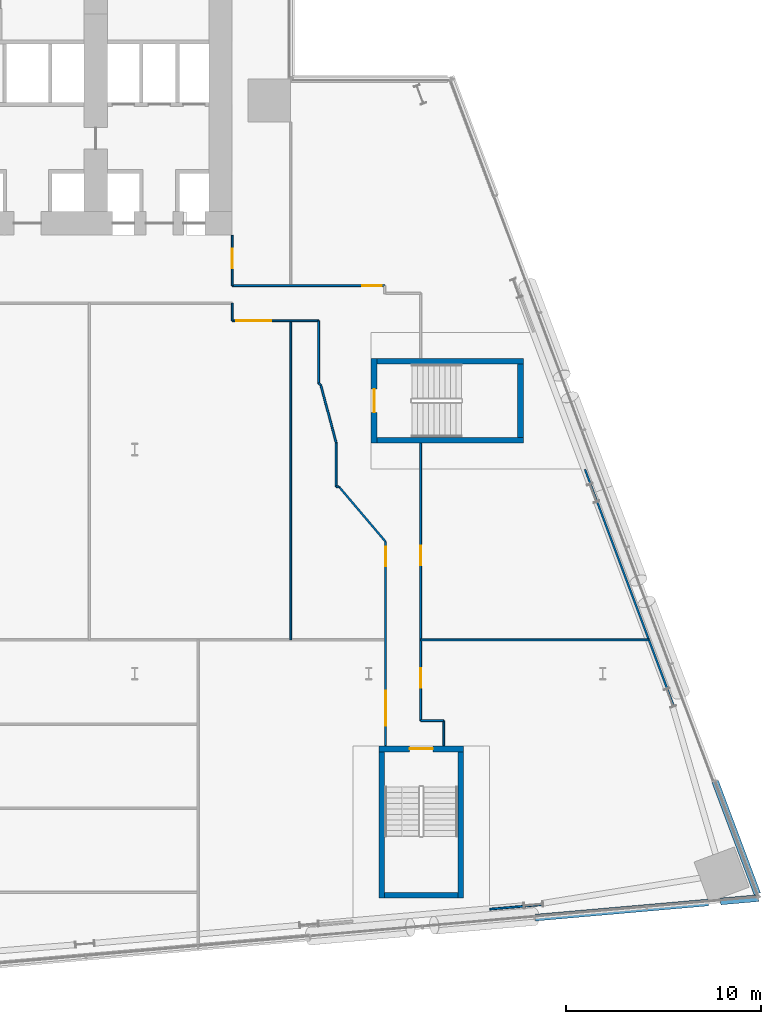
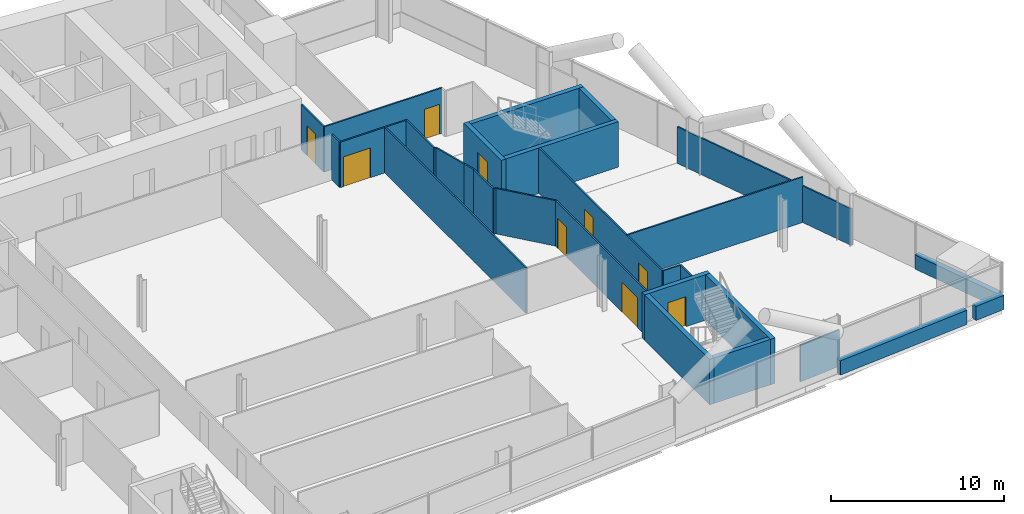
# One storey, part 18 of 27: 30 walls, 9 doors, 9 openings.
"""IFC4 building model written with IfcOpenShell, lengths in metres."""

import ifcopenshell
import ifcopenshell.guid

model = None  # the IFC model being written
_history = None  # IfcOwnerHistory: only IFC2X3 demands one
_inside = {}  # id of a spatial element -> (the spatial element, [elements in it])
_under = {}  # id of a project, library or spatial element -> (it, [spatial elements below it])
_declared = {}  # id of a project -> (the project, [libraries it declares])
_typed = {}  # id of a type object -> (the type object, [elements of that type])
_made_of = {}  # id of a material, layer set ... -> (it, [elements and type objects made of it])


def new_model(schema):
    """Start an empty IFC model of exactly this schema.

    Asked for "IFC4X3", IfcOpenShell would pick the latest addendum, in which some entities
    have other attributes; the version numbers below select the first issue.
    IFC2X3 requires an IfcOwnerHistory on every rooted entity: one is made here for all.
    """
    global model, _history
    if schema == "IFC4X3":
        model = ifcopenshell.file(schema_version=(4, 3, 0, 0))
    else:
        model = ifcopenshell.file(schema=schema)
    _inside.clear()
    _under.clear()
    _declared.clear()
    _typed.clear()
    _made_of.clear()
    _history = None
    if model.schema == "IFC2X3":
        org = make("IfcOrganization", Name="unknown")
        user = make(
            "IfcPersonAndOrganization",
            ThePerson=make("IfcPerson", FamilyName="unknown"),
            TheOrganization=org,
        )
        app = make(
            "IfcApplication",
            ApplicationDeveloper=org,
            Version="unknown",
            ApplicationFullName="unknown",
            ApplicationIdentifier="unknown",
        )
        _history = make(
            "IfcOwnerHistory",
            OwningUser=user,
            OwningApplication=app,
            ChangeAction="ADDED",
            CreationDate=0,
        )
    return model


def make(cls, **values):
    """One entity of the class cls with the attributes given. An attribute that is None is left unset."""
    return model.create_entity(
        cls, **{name: value for name, value in values.items() if value is not None}
    )


def rooted(cls, **values):
    """An entity with a GlobalId (a new one), such as an element, a storey or a relation."""
    return make(cls, GlobalId=ifcopenshell.guid.new(), OwnerHistory=_history, **values)


def si_unit(unit_type, name, prefix=None):
    """IfcSIUnit, for example si_unit("LENGTHUNIT", "METRE", prefix="MILLI")."""
    return make("IfcSIUnit", UnitType=unit_type, Prefix=prefix, Name=name)


def assignment(units):
    """IfcUnitAssignment: the units of a project."""
    return None if units is None else make("IfcUnitAssignment", Units=units)


def point(xyz):
    """IfcCartesianPoint."""
    return None if xyz is None else make("IfcCartesianPoint", Coordinates=xyz)


def direction(xyz):
    """IfcDirection."""
    return None if xyz is None else make("IfcDirection", DirectionRatios=xyz)


def frame(location, z_axis=None, x_axis=None):
    """IfcAxis2Placement3D, a coordinate frame: its origin and axes. An axis left out is left unset."""
    return make(
        "IfcAxis2Placement3D",
        Location=point(location),
        Axis=direction(z_axis),
        RefDirection=direction(x_axis),
    )


def frame_2d(location, x_axis=None):
    """IfcAxis2Placement2D, a coordinate frame in the plane: its origin and x axis."""
    return make(
        "IfcAxis2Placement2D", Location=point(location), RefDirection=direction(x_axis)
    )


def origin():
    """The frame at (0, 0, 0) with its axes left unset."""
    return frame((0.0, 0.0, 0.0))


def place(relative_to, where):
    """IfcLocalPlacement: puts the frame where relative to a parent placement (None: the world)."""
    return make(
        "IfcLocalPlacement", PlacementRelTo=relative_to, RelativePlacement=where
    )


def context(
    kind, dimensions, precision=None, world=None, true_north=None, identifier=None
):
    """IfcGeometricRepresentationContext, for example the 3D "Model" context."""
    return make(
        "IfcGeometricRepresentationContext",
        ContextIdentifier=identifier,
        ContextType=kind,
        CoordinateSpaceDimension=dimensions,
        Precision=precision,
        WorldCoordinateSystem=world,
        TrueNorth=true_north,
    )


def subcontext(parent, identifier, kind, view, scale=None):
    """IfcGeometricRepresentationSubContext, for example "Body" below "Model"."""
    return make(
        "IfcGeometricRepresentationSubContext",
        ContextIdentifier=identifier,
        ContextType=kind,
        ParentContext=parent,
        TargetScale=scale,
        TargetView=view,
    )


def project(units=None, contexts=None):
    """IfcProject with its units and contexts."""
    return rooted(
        "IfcProject",
        Name="project",
        RepresentationContexts=contexts,
        UnitsInContext=assignment(units),
    )


def spatial(cls, under=None, at=None, **own):
    """A site, building, storey or space (cls), placed at a placement, below another one or the project."""
    s = rooted(cls, ObjectPlacement=at, **own)
    if under is not None:
        _under.setdefault(under.id(), (under, []))[1].append(s)
    return s


def profile(cls, at=None, kind="AREA", **sizes):
    """A parametric profile (cls). Its sizes go by their IFC names, for example OverallWidth=200.0."""
    return make(cls, ProfileType=kind, Position=at, **sizes)


def rectangle(**sizes):
    """IfcRectangleProfileDef."""
    return profile("IfcRectangleProfileDef", **sizes)


def extrude(swept, where, along, depth):
    """IfcExtrudedAreaSolid: the profile swept, set in the frame where, extruded along a direction by depth."""
    return make(
        "IfcExtrudedAreaSolid",
        SweptArea=swept,
        Position=where,
        ExtrudedDirection=direction(along),
        Depth=depth,
    )


def shape(context_of_items, identifier, shape_type, items):
    """IfcShapeRepresentation: the items that make up one representation, for example the "Body"."""
    return make(
        "IfcShapeRepresentation",
        ContextOfItems=context_of_items,
        RepresentationIdentifier=identifier,
        RepresentationType=shape_type,
        Items=items,
    )


def material(Name=None, Category=None):
    """IfcMaterial."""
    return make("IfcMaterial", Name=Name, Category=Category)


def layer(
    of_material, thickness, ventilated=None, Name=None, Category=None, Priority=None
):
    """IfcMaterialLayer: one layer of a wall or slab, of a material (None: an air gap)."""
    return make(
        "IfcMaterialLayer",
        Material=of_material,
        LayerThickness=thickness,
        IsVentilated=ventilated,
        Name=Name,
        Category=Category,
        Priority=Priority,
    )


def layer_set(layers, Name=None):
    """IfcMaterialLayerSet."""
    return make("IfcMaterialLayerSet", MaterialLayers=layers, LayerSetName=Name)


def made_of(thing, what):
    """Note that an element or type object is made of a material, layer set ...; save() writes the relation."""
    if what is not None:
        _made_of.setdefault(what.id(), (what, []))[1].append(thing)
    return thing


def type_object(cls, material=None, **own):
    """A type object (cls), such as IfcWallType, which elements share."""
    return made_of(rooted(cls, **own), material)


def element(
    cls,
    number,
    at=None,
    inside=None,
    cuts=None,
    type_object=None,
    material=None,
    context=None,
    identifier="Body",
    shape_type=None,
    held_by="IfcProductDefinitionShape",
    body=None,
    shapes=None,
    **own,
):
    """One element of the class cls, such as IfcWall. Its Tag is "e" and its number.

    at: its placement. inside: the storey or other place that contains it. cuts: it is an
    opening in that element (IfcRelVoidsElement). A single representation is given by context,
    identifier, shape_type and body (its items); several are given by shapes. held_by: the class
    of the entity that holds the representations. save() writes the other relations.
    """
    e = rooted(cls, Tag="e%d" % number, ObjectPlacement=at, **own)
    if body is not None:
        shapes = [shape(context, identifier, shape_type, body)]
    if shapes is not None:
        e.Representation = make(held_by, Representations=shapes)
    if inside is not None:
        _inside.setdefault(inside.id(), (inside, []))[1].append(e)
    if cuts is not None:
        rooted(
            "IfcRelVoidsElement", RelatingBuildingElement=cuts, RelatedOpeningElement=e
        )
    if type_object is not None:
        _typed.setdefault(type_object.id(), (type_object, []))[1].append(e)
    return made_of(e, material)


def fill(opening, filler):
    """IfcRelFillsElement: the door or window that sits in an opening."""
    return rooted(
        "IfcRelFillsElement",
        RelatingOpeningElement=opening,
        RelatedBuildingElement=filler,
    )


def aggregate(whole, parts):
    """IfcRelAggregates: a whole, such as a stair, and the parts it consists of."""
    return rooted("IfcRelAggregates", RelatingObject=whole, RelatedObjects=parts)


def save(model, path):
    """Write the relations noted so far, then the file.

    IfcRelAggregates (storeys below a building ...), IfcRelContainedInSpatialStructure (elements
    in a storey), IfcRelDefinesByType, IfcRelAssociatesMaterial and IfcRelDeclares: one each for
    every whole, place, type object, material and project.
    """
    for whole, parts in _under.values():
        aggregate(whole, parts)
    for where, things in _inside.values():
        rooted(
            "IfcRelContainedInSpatialStructure",
            RelatedElements=things,
            RelatingStructure=where,
        )
    for kind, things in _typed.values():
        rooted("IfcRelDefinesByType", RelatedObjects=things, RelatingType=kind)
    for what, things in _made_of.values():
        rooted("IfcRelAssociatesMaterial", RelatedObjects=things, RelatingMaterial=what)
    for by, libraries in _declared.values():
        rooted("IfcRelDeclares", RelatingContext=by, RelatedDefinitions=libraries)
    model.write(path)


model = new_model("IFC4")

# Units and contexts
model_context = context("Model", 3, precision=1e-05, world=origin(), true_north=direction((0.0, 1.0)))
body_context = subcontext(model_context, "Body", "Model", "MODEL_VIEW")
ifc_project = project(units=[si_unit("LENGTHUNIT", "METRE"), si_unit("AREAUNIT", "SQUARE_METRE"), si_unit("VOLUMEUNIT", "CUBIC_METRE"), si_unit("PLANEANGLEUNIT", "RADIAN"), si_unit("MASSUNIT", "GRAM", prefix="KILO")], contexts=[model_context])

# Site, building, storey
site_placement = place(None, origin())
site = spatial("IfcSite", under=ifc_project, at=site_placement, CompositionType="ELEMENT")
building_placement = place(site_placement, origin())
building = spatial("IfcBuilding", under=site, at=building_placement, Name="Wharfspan Tower", CompositionType="ELEMENT")
storey_placement = place(building_placement, frame((0.0, 0.0, 81.100098)))
storey = spatial("IfcBuildingStorey", under=building, at=storey_placement, Name="L17", CompositionType="ELEMENT", Elevation=81.100098)

# Wall
ifc_material_1 = material(Name="Gypsum board on steel studs", Category="steel")
ifc_layer_1 = layer(ifc_material_1, 0.100098)
ifc_layer_set_1 = layer_set([ifc_layer_1], Name="Gypsum board on steel studs")
wall_type_1 = type_object("IfcWallType", Name="Compartment wall 100 EI 60", PredefinedType="PARTITIONING", material=ifc_layer_set_1)
wall_1_placement = place(storey_placement, frame((65.0, 29.600098, 0.0), z_axis=(0.0, 0.0, 1.0), x_axis=(0.0, 1.0, 0.0)))
element("IfcWall", 1, at=wall_1_placement, inside=storey, type_object=wall_type_1, Name="Partition L17.w048", PredefinedType="PARTITIONING", context=body_context, shape_type="SweptSolid", body=[
    extrude(rectangle(XDim=0.899902, YDim=0.100098, at=frame_2d((0.449951, 0.0))), origin(), (0.0, 0.0, 1.0), 3.199951),
])

# Wall, opening, door
wall_2_placement = place(storey_placement, frame((65.0, 29.600098, 0.0), z_axis=(0.0, 0.0, 1.0), x_axis=(1.0, 0.0, 0.0)))
wall_2 = element("IfcWall", 2, at=wall_2_placement, inside=storey, type_object=wall_type_1, Name="Partition L17.w049", PredefinedType="PARTITIONING", context=body_context, shape_type="SweptSolid", body=[
    extrude(rectangle(XDim=4.425049, YDim=0.100098, at=frame_2d((2.212402, 0.0))), origin(), (0.0, 0.0, 1.0), 3.199951),
])
opening_1_placement = place(wall_2_placement, frame((0.199951, 0.0, 0.0)))
opening_1 = element("IfcOpeningElement", 3, at=opening_1_placement, cuts=wall_2, Name="Opening A4-29", PredefinedType="OPENING", context=body_context, shape_type="SweptSolid", body=[
    extrude(rectangle(XDim=1.800049, YDim=2.100098, at=frame_2d((0.899902, 1.050049))), frame((0.0, 0.060059, 0.0), z_axis=(0.0, -1.0, 0.0), x_axis=(1.0, 0.0, 0.0)), (0.0, 0.0, 1.0), 0.120117),
])
ifc_material_2 = material(Name="Fire-rated timber door leaf in steel frame", Category="steel")
door_type_1 = type_object("IfcDoorType", Name="Door 1800 FD30S Double", OperationType="DOUBLE_DOOR_SINGLE_SWING", PredefinedType="DOOR", material=ifc_material_2)
door_1_placement = place(opening_1_placement, origin())
door_1 = element("IfcDoor", 4, at=door_1_placement, inside=storey, type_object=door_type_1, Name="Door A4-29", OperationType="DOUBLE_DOOR_SINGLE_SWING", OverallHeight=2.100098, OverallWidth=1.800049, PredefinedType="DOOR", context=body_context, shape_type="SweptSolid", body=[
    extrude(rectangle(XDim=1.800049, YDim=2.100098, at=frame_2d((0.899902, 1.050049))), frame((0.0, 0.024902, 0.0), z_axis=(0.0, -1.0, 0.0), x_axis=(1.0, 0.0, 0.0)), (0.0, 0.0, 1.0), 0.050049),
])
fill(opening_1, door_1)

wall_3_placement = place(storey_placement, frame((65.0, 31.399902, 0.0), z_axis=(0.0, 0.0, 1.0), x_axis=(0.0, 1.0, 0.0)))
wall_3 = element("IfcWall", 5, at=wall_3_placement, inside=storey, type_object=wall_type_1, Name="Partition L17.w050", PredefinedType="PARTITIONING", context=body_context, shape_type="SweptSolid", body=[
    extrude(rectangle(XDim=2.580078, YDim=0.100098, at=frame_2d((1.290039, 0.0))), origin(), (0.0, 0.0, 1.0), 3.199951),
])
opening_2_placement = place(wall_3_placement, frame((0.899902, 0.0, 0.0)))
opening_2 = element("IfcOpeningElement", 6, at=opening_2_placement, cuts=wall_3, Name="Opening A4-34", PredefinedType="OPENING", context=body_context, shape_type="SweptSolid", body=[
    extrude(rectangle(XDim=1.0, YDim=2.100098, at=frame_2d((0.5, 1.050049))), frame((0.0, 0.060059, 0.0), z_axis=(0.0, -1.0, 0.0), x_axis=(1.0, 0.0, 0.0)), (0.0, 0.0, 1.0), 0.120117),
])
door_type_2 = type_object("IfcDoorType", Name="Door 1000 FD30S Right", OperationType="SINGLE_SWING_RIGHT", PredefinedType="DOOR", material=ifc_material_2)
door_2_placement = place(opening_2_placement, origin())
door_2 = element("IfcDoor", 7, at=door_2_placement, inside=storey, type_object=door_type_2, Name="Door A4-34", OperationType="SINGLE_SWING_RIGHT", OverallHeight=2.100098, OverallWidth=1.0, PredefinedType="DOOR", context=body_context, shape_type="SweptSolid", body=[
    extrude(rectangle(XDim=1.0, YDim=2.100098, at=frame_2d((0.5, 1.050049))), frame((0.0, 0.024902, 0.0), z_axis=(0.0, -1.0, 0.0), x_axis=(1.0, 0.0, 0.0)), (0.0, 0.0, 1.0), 0.050049),
])
fill(opening_2, door_2)

wall_4_placement = place(storey_placement, frame((65.0, 31.399902, 0.0), z_axis=(0.0, 0.0, 1.0), x_axis=(1.0, 0.0, 0.0)))
wall_4 = element("IfcWall", 8, at=wall_4_placement, inside=storey, type_object=wall_type_1, Name="Partition L17.w051", PredefinedType="PARTITIONING", context=body_context, shape_type="SweptSolid", body=[
    extrude(rectangle(XDim=7.810059, YDim=0.100098, at=frame_2d((3.905029, 0.0))), origin(), (0.0, 0.0, 1.0), 3.199951),
])
opening_3_placement = place(wall_4_placement, frame((6.657227, 0.0, 0.0)))
opening_3 = element("IfcOpeningElement", 9, at=opening_3_placement, cuts=wall_4, Name="Opening A4-33", PredefinedType="OPENING", context=body_context, shape_type="SweptSolid", body=[
    extrude(rectangle(XDim=1.0, YDim=2.100098, at=frame_2d((0.5, 1.050049))), frame((0.0, 0.060059, 0.0), z_axis=(0.0, -1.0, 0.0), x_axis=(1.0, 0.0, 0.0)), (0.0, 0.0, 1.0), 0.120117),
])
door_3_placement = place(opening_3_placement, origin())
door_3 = element("IfcDoor", 10, at=door_3_placement, inside=storey, type_object=door_type_2, Name="Door A4-33", OperationType="SINGLE_SWING_RIGHT", OverallHeight=2.100098, OverallWidth=1.0, PredefinedType="DOOR", context=body_context, shape_type="SweptSolid", body=[
    extrude(rectangle(XDim=1.0, YDim=2.100098, at=frame_2d((0.5, 1.050049))), frame((0.0, 0.024902, 0.0), z_axis=(0.0, -1.0, 0.0), x_axis=(1.0, 0.0, 0.0)), (0.0, 0.0, 1.0), 0.050049),
])
fill(opening_3, door_3)

# Walls
wall_5_placement = place(storey_placement, frame((68.0, 13.23999, 0.0), z_axis=(0.0, 0.0, 1.0), x_axis=(0.0, 1.0, 0.0)))
element("IfcWall", 11, at=wall_5_placement, inside=storey, type_object=wall_type_1, Name="Partition L17.w052", PredefinedType="PARTITIONING", context=body_context, shape_type="SweptSolid", body=[
    extrude(rectangle(XDim=16.360107, YDim=0.100098, at=frame_2d((8.180176, 0.0))), origin(), (0.0, 0.0, 1.0), 3.199951),
])
wall_6_placement = place(storey_placement, frame((69.425049, 26.399902, 0.0), z_axis=(0.0, 0.0, 1.0), x_axis=(0.0, 1.0, 0.0)))
element("IfcWall", 12, at=wall_6_placement, inside=storey, type_object=wall_type_1, Name="Partition L17.w055", PredefinedType="PARTITIONING", context=body_context, shape_type="SweptSolid", body=[
    extrude(rectangle(XDim=3.200195, YDim=0.100098, at=frame_2d((1.600098, 0.0))), origin(), (0.0, 0.0, 1.0), 3.199951),
])
wall_7_placement = place(storey_placement, frame((69.540039, 26.310059, 0.0), z_axis=(0.0, 0.0, 1.0), x_axis=(-0.787997, 0.615675, 0.0)))
element("IfcWall", 13, at=wall_7_placement, inside=storey, type_object=wall_type_1, Name="Partition L17.w056", PredefinedType="PARTITIONING", context=body_context, shape_type="SweptSolid", body=[
    extrude(rectangle(XDim=0.145996, YDim=0.100098, at=frame_2d((0.072998, 0.0))), origin(), (0.0, 0.0, 1.0), 3.199951),
])
wall_8_placement = place(storey_placement, frame((70.129883, 24.094971, 0.0), z_axis=(0.0, 0.0, 1.0), x_axis=(-0.257318, 0.966327, 0.0)))
element("IfcWall", 14, at=wall_8_placement, inside=storey, type_object=wall_type_1, Name="Partition L17.w057", PredefinedType="PARTITIONING", context=body_context, shape_type="SweptSolid", body=[
    extrude(rectangle(XDim=2.292236, YDim=0.100098, at=frame_2d((1.145996, 0.0))), origin(), (0.0, 0.0, 1.0), 3.199951),
])
wall_9_placement = place(storey_placement, frame((70.324951, 21.100098, 0.0), z_axis=(0.0, 0.0, 1.0), x_axis=(0.0, 1.0, 0.0)))
element("IfcWall", 15, at=wall_9_placement, inside=storey, type_object=wall_type_1, Name="Partition L17.w058", PredefinedType="PARTITIONING", context=body_context, shape_type="SweptSolid", body=[
    extrude(rectangle(XDim=2.254883, YDim=0.100098, at=frame_2d((1.127441, 0.0))), origin(), (0.0, 0.0, 1.0), 3.199951),
])
wall_10_placement = place(storey_placement, frame((70.324951, 23.35498, 0.0), z_axis=(0.0, 0.0, 1.0), x_axis=(-0.254901, 0.966965, 0.0)))
element("IfcWall", 16, at=wall_10_placement, inside=storey, type_object=wall_type_1, Name="Partition L17.w059", PredefinedType="PARTITIONING", context=body_context, shape_type="SweptSolid", body=[
    extrude(rectangle(XDim=0.765381, YDim=0.100098, at=frame_2d((0.382812, 0.0))), origin(), (0.0, 0.0, 1.0), 3.199951),
])
wall_11_placement = place(storey_placement, frame((70.485107, 21.074951, 0.0), z_axis=(0.0, 0.0, 1.0), x_axis=(-0.987098, 0.160112, 0.0)))
element("IfcWall", 17, at=wall_11_placement, inside=storey, type_object=wall_type_1, Name="Partition L17.w060", PredefinedType="PARTITIONING", context=body_context, shape_type="SweptSolid", body=[
    extrude(rectangle(XDim=0.156982, YDim=0.100098, at=frame_2d((0.078613, 0.0))), origin(), (0.0, 0.0, 1.0), 3.199951),
])

# Wall, openings, doors
wall_12_placement = place(storey_placement, frame((72.860107, 7.812012, 0.0), z_axis=(0.0, 0.0, 1.0), x_axis=(0.0, 1.0, 0.0)))
wall_12 = element("IfcWall", 18, at=wall_12_placement, inside=storey, type_object=wall_type_1, Name="Partition L17.w062", PredefinedType="PARTITIONING", context=body_context, shape_type="SweptSolid", body=[
    extrude(rectangle(XDim=10.462891, YDim=0.100098, at=frame_2d((5.231445, 0.0))), origin(), (0.0, 0.0, 1.0), 3.199951),
])
opening_4_placement = place(wall_12_placement, frame((1.008057, 0.0, 0.0)))
opening_4 = element("IfcOpeningElement", 19, at=opening_4_placement, cuts=wall_12, Name="Opening A4-08", PredefinedType="OPENING", context=body_context, shape_type="SweptSolid", body=[
    extrude(rectangle(XDim=1.800049, YDim=2.100098, at=frame_2d((0.899902, 1.050049))), frame((0.0, 0.060059, 0.0), z_axis=(0.0, -1.0, 0.0), x_axis=(1.0, 0.0, 0.0)), (0.0, 0.0, 1.0), 0.120117),
])
opening_5_placement = place(wall_12_placement, frame((9.196533, 0.0, 0.0)))
opening_5 = element("IfcOpeningElement", 20, at=opening_5_placement, cuts=wall_12, Name="Opening A4-16", PredefinedType="OPENING", context=body_context, shape_type="SweptSolid", body=[
    extrude(rectangle(XDim=1.0, YDim=2.100098, at=frame_2d((0.5, 1.050049))), frame((0.0, 0.060059, 0.0), z_axis=(0.0, -1.0, 0.0), x_axis=(1.0, 0.0, 0.0)), (0.0, 0.0, 1.0), 0.120117),
])
door_4_placement = place(opening_5_placement, origin())
door_4 = element("IfcDoor", 21, at=door_4_placement, inside=storey, type_object=door_type_2, Name="Door A4-16", OperationType="SINGLE_SWING_RIGHT", OverallHeight=2.100098, OverallWidth=1.0, PredefinedType="DOOR", context=body_context, shape_type="SweptSolid", body=[
    extrude(rectangle(XDim=1.0, YDim=2.100098, at=frame_2d((0.5, 1.050049))), frame((0.0, 0.024902, 0.0), z_axis=(0.0, -1.0, 0.0), x_axis=(1.0, 0.0, 0.0)), (0.0, 0.0, 1.0), 0.050049),
])
fill(opening_5, door_4)
door_5_placement = place(opening_4_placement, origin())
door_5 = element("IfcDoor", 22, at=door_5_placement, inside=storey, type_object=door_type_1, Name="Door A4-08", OperationType="DOUBLE_DOOR_SINGLE_SWING", OverallHeight=2.100098, OverallWidth=1.800049, PredefinedType="DOOR", context=body_context, shape_type="SweptSolid", body=[
    extrude(rectangle(XDim=1.800049, YDim=2.100098, at=frame_2d((0.899902, 1.050049))), frame((0.0, 0.024902, 0.0), z_axis=(0.0, -1.0, 0.0), x_axis=(1.0, 0.0, 0.0)), (0.0, 0.0, 1.0), 0.050049),
])
fill(opening_4, door_5)

# Wall
wall_13_placement = place(storey_placement, frame((72.860107, 18.274902, 0.0), z_axis=(0.0, 0.0, 1.0), x_axis=(-0.646848, 0.762613, 0.0)))
element("IfcWall", 23, at=wall_13_placement, inside=storey, type_object=wall_type_1, Name="Partition L17.w064", PredefinedType="PARTITIONING", context=body_context, shape_type="SweptSolid", body=[
    extrude(rectangle(XDim=3.671631, YDim=0.100098, at=frame_2d((1.835938, 0.0))), origin(), (0.0, 0.0, 1.0), 3.199951),
])

# Wall, openings, doors
wall_14_placement = place(storey_placement, frame((74.659912, 9.094971, 0.0), z_axis=(0.0, 0.0, 1.0), x_axis=(0.0, 1.0, 0.0)))
wall_14 = element("IfcWall", 24, at=wall_14_placement, inside=storey, type_object=wall_type_1, Name="Partition L17.w065", PredefinedType="PARTITIONING", context=body_context, shape_type="SweptSolid", body=[
    extrude(rectangle(XDim=14.22998, YDim=0.100098, at=frame_2d((7.11499, 0.0))), origin(), (0.0, 0.0, 1.0), 3.199951),
])
opening_6_placement = place(wall_14_placement, frame((1.695068, 0.0, 0.0)))
opening_6 = element("IfcOpeningElement", 25, at=opening_6_placement, cuts=wall_14, Name="Opening A4-12", PredefinedType="OPENING", context=body_context, shape_type="SweptSolid", body=[
    extrude(rectangle(XDim=1.0, YDim=2.100098, at=frame_2d((0.5, 1.050049))), frame((0.0, 0.060059, 0.0), z_axis=(0.0, -1.0, 0.0), x_axis=(1.0, 0.0, 0.0)), (0.0, 0.0, 1.0), 0.120117),
])
opening_7_placement = place(wall_14_placement, frame((7.965088, 0.0, 0.0)))
opening_7 = element("IfcOpeningElement", 26, at=opening_7_placement, cuts=wall_14, Name="Opening A4-17", PredefinedType="OPENING", context=body_context, shape_type="SweptSolid", body=[
    extrude(rectangle(XDim=1.0, YDim=2.100098, at=frame_2d((0.5, 1.050049))), frame((0.0, 0.060059, 0.0), z_axis=(0.0, -1.0, 0.0), x_axis=(1.0, 0.0, 0.0)), (0.0, 0.0, 1.0), 0.120117),
])
door_type_3 = type_object("IfcDoorType", Name="Door 1000 FD30S Left", OperationType="SINGLE_SWING_LEFT", PredefinedType="DOOR", material=ifc_material_2)
door_6_placement = place(opening_6_placement, origin())
door_6 = element("IfcDoor", 27, at=door_6_placement, inside=storey, type_object=door_type_3, Name="Door A4-12", OperationType="SINGLE_SWING_LEFT", OverallHeight=2.100098, OverallWidth=1.0, PredefinedType="DOOR", context=body_context, shape_type="SweptSolid", body=[
    extrude(rectangle(XDim=1.0, YDim=2.100098, at=frame_2d((0.5, 1.050049))), frame((0.0, 0.024902, 0.0), z_axis=(0.0, -1.0, 0.0), x_axis=(1.0, 0.0, 0.0)), (0.0, 0.0, 1.0), 0.050049),
])
fill(opening_6, door_6)
door_7_placement = place(opening_7_placement, origin())
door_7 = element("IfcDoor", 28, at=door_7_placement, inside=storey, type_object=door_type_2, Name="Door A4-17", OperationType="SINGLE_SWING_RIGHT", OverallHeight=2.100098, OverallWidth=1.0, PredefinedType="DOOR", context=body_context, shape_type="SweptSolid", body=[
    extrude(rectangle(XDim=1.0, YDim=2.100098, at=frame_2d((0.5, 1.050049))), frame((0.0, 0.024902, 0.0), z_axis=(0.0, -1.0, 0.0), x_axis=(1.0, 0.0, 0.0)), (0.0, 0.0, 1.0), 0.050049),
])
fill(opening_7, door_7)

# Walls
wall_15_placement = place(storey_placement, frame((74.665039, 9.094971, 0.0), z_axis=(0.0, 0.0, 1.0), x_axis=(1.0, 0.0, 0.0)))
element("IfcWall", 29, at=wall_15_placement, inside=storey, type_object=wall_type_1, Name="Partition L17.w067", PredefinedType="PARTITIONING", context=body_context, shape_type="SweptSolid", body=[
    extrude(rectangle(XDim=1.175049, YDim=0.100098, at=frame_2d((0.587402, 0.0))), origin(), (0.0, 0.0, 1.0), 3.199951),
])
wall_16_placement = place(storey_placement, frame((74.665039, 13.23999, 0.0), z_axis=(0.0, 0.0, 1.0), x_axis=(1.0, 0.0, 0.0)))
element("IfcWall", 30, at=wall_16_placement, inside=storey, type_object=wall_type_1, Name="Partition L17.w068", PredefinedType="PARTITIONING", context=body_context, shape_type="SweptSolid", body=[
    extrude(rectangle(XDim=11.699951, YDim=0.100098, at=frame_2d((5.850098, 0.0))), origin(), (0.0, 0.0, 1.0), 3.199951),
])
wall_17_placement = place(storey_placement, frame((75.844971, 7.812012, 0.0), z_axis=(0.0, 0.0, 1.0), x_axis=(0.0, 1.0, 0.0)))
element("IfcWall", 31, at=wall_17_placement, inside=storey, type_object=wall_type_1, Name="Partition L17.w069", PredefinedType="PARTITIONING", context=body_context, shape_type="SweptSolid", body=[
    extrude(rectangle(XDim=1.278076, YDim=0.100098, at=frame_2d((0.63916, 0.0))), origin(), (0.0, 0.0, 1.0), 3.199951),
])
ifc_layer_2 = layer(ifc_material_1, 0.100098)
ifc_layer_set_2 = layer_set([ifc_layer_2], Name="Gypsum board on steel studs")
wall_type_2 = type_object("IfcWallType", Name="Partition 100", PredefinedType="PARTITIONING", material=ifc_layer_set_2)
wall_18_placement = place(storey_placement, frame((78.212402, -0.572998, 0.0), z_axis=(0.0, 0.0, 1.0), x_axis=(0.996224, 0.086779, 0.0)))
element("IfcWall", 32, at=wall_18_placement, inside=storey, type_object=wall_type_2, Name="Partition L17.w070", PredefinedType="PARTITIONING", context=body_context, shape_type="SweptSolid", body=[
    extrude(rectangle(XDim=2.74292, YDim=0.100098, at=frame_2d((1.371582, 0.0))), origin(), (0.0, 0.0, 1.0), 2.579834),
])
wall_19_placement = place(storey_placement, frame((87.649902, 9.810059, 0.0), z_axis=(0.0, 0.0, 1.0), x_axis=(-0.35104, 0.936357, 0.0)))
element("IfcWall", 33, at=wall_19_placement, inside=storey, type_object=wall_type_2, Name="Partition L17.w073", PredefinedType="PARTITIONING", context=body_context, shape_type="SweptSolid", body=[
    extrude(rectangle(XDim=12.99707, YDim=0.100098, at=frame_2d((6.498535, 0.0))), origin(), (0.0, 0.0, 1.0), 2.579834),
])
ifc_material_3 = material(Name="Concrete C40/50", Category="concrete")
ifc_layer_3 = layer(ifc_material_3, 0.350098)
ifc_layer_set_3 = layer_set([ifc_layer_3], Name="Concrete C40/50")
wall_type_3 = type_object("IfcWallType", Name="SPANDREL EXPOSED CONCRETE 350", PredefinedType="SOLIDWALL", material=ifc_layer_set_3)
wall_20_placement = place(storey_placement, frame((80.530273, -1.008545, 0.0), z_axis=(0.0, 0.0, 1.0), x_axis=(0.996198, 0.087169, 0.0)))
element("IfcWall", 34, at=wall_20_placement, inside=storey, type_object=wall_type_3, Name="Spandrel upstand L17 S2 2", PredefinedType="SOLIDWALL", context=body_context, shape_type="SweptSolid", body=[
    extrude(rectangle(XDim=8.912109, YDim=0.350098, at=frame_2d((4.456055, 0.0))), origin(), (0.0, 0.0, 1.0), 1.0),
])
wall_21_placement = place(storey_placement, frame((90.039062, -0.176514, 0.0), z_axis=(0.0, 0.0, 1.0), x_axis=(0.996193, 0.08717, 0.0)))
element("IfcWall", 35, at=wall_21_placement, inside=storey, type_object=wall_type_3, Name="Spandrel upstand L17 S2 3", PredefinedType="SOLIDWALL", context=body_context, shape_type="SweptSolid", body=[
    extrude(rectangle(XDim=1.968994, YDim=0.350098, at=frame_2d((0.984375, 0.0))), origin(), (0.0, 0.0, 1.0), 1.0),
])
wall_22_placement = place(storey_placement, frame((91.926025, 0.211182, 0.0), z_axis=(0.0, 0.0, 1.0), x_axis=(-0.351118, 0.936328, 0.0)))
element("IfcWall", 36, at=wall_22_placement, inside=storey, type_object=wall_type_3, Name="Spandrel upstand L17 E 1", PredefinedType="SOLIDWALL", context=body_context, shape_type="SweptSolid", body=[
    extrude(rectangle(XDim=6.154297, YDim=0.350098, at=frame_2d((3.077148, 0.0))), origin(), (0.0, 0.0, 1.0), 1.0),
])

# Wall, opening, door
ifc_layer_4 = layer(ifc_material_3, 0.300049)
ifc_layer_set_4 = layer_set([ifc_layer_4], Name="Concrete C40/50")
wall_type_4 = type_object("IfcWallType", Name="Stair core wall 300", PredefinedType="SHEAR", material=ifc_layer_set_4)
wall_23_placement = place(storey_placement, frame((72.517578, 7.64209, 0.0), z_axis=(0.0, 0.0, 1.0), x_axis=(1.0, 0.0, 0.0)))
wall_23 = element("IfcWall", 37, at=wall_23_placement, inside=storey, type_object=wall_type_4, Name="ST5 stair enclosure wall L17", PredefinedType="SHEAR", context=body_context, shape_type="SweptSolid", body=[
    extrude(rectangle(XDim=4.349854, YDim=0.300049, at=frame_2d((2.174805, 0.0))), origin(), (0.0, 0.0, 1.0), 3.199951),
])
opening_8_placement = place(wall_23_placement, frame((1.574951, 0.0, 0.0)))
opening_8 = element("IfcOpeningElement", 38, at=opening_8_placement, cuts=wall_23, Name="Opening SD5.L17", PredefinedType="OPENING", context=body_context, shape_type="SweptSolid", body=[
    extrude(rectangle(XDim=1.199951, YDim=2.100098, at=frame_2d((0.600098, 1.050049))), frame((0.0, 0.159912, 0.0), z_axis=(0.0, -1.0, 0.0), x_axis=(1.0, 0.0, 0.0)), (0.0, 0.0, 1.0), 0.320068),
])
ifc_material_4 = material(Name="Steel door leaf", Category="steel")
door_type_4 = type_object("IfcDoorType", Name="Stair door 1200x2100", OperationType="SINGLE_SWING_LEFT", PredefinedType="DOOR", material=ifc_material_4)
door_8_placement = place(opening_8_placement, origin())
door_8 = element("IfcDoor", 39, at=door_8_placement, inside=storey, type_object=door_type_4, Name="sd:L17:ST5z1", OperationType="SINGLE_SWING_RIGHT", OverallHeight=2.100098, OverallWidth=1.199951, PredefinedType="DOOR", context=body_context, shape_type="SweptSolid", body=[
    extrude(rectangle(XDim=1.199951, YDim=2.100098, at=frame_2d((0.600098, 1.050049))), frame((0.0, 0.024902, 0.0), z_axis=(0.0, -1.0, 0.0), x_axis=(1.0, 0.0, 0.0)), (0.0, 0.0, 1.0), 0.050049),
])
fill(opening_8, door_8)

wall_24_placement = place(storey_placement, frame((72.274902, 23.324951, 0.0), z_axis=(0.0, 0.0, 1.0), x_axis=(0.0, 1.0, 0.0)))
wall_24 = element("IfcWall", 40, at=wall_24_placement, inside=storey, type_object=wall_type_4, Name="ST6 stair enclosure wall L17", PredefinedType="SHEAR", context=body_context, shape_type="SweptSolid", body=[
    extrude(rectangle(XDim=4.350098, YDim=0.300049, at=frame_2d((2.175049, 0.0))), origin(), (0.0, 0.0, 1.0), 3.199951),
])
opening_9_placement = place(wall_24_placement, frame((1.574951, 0.0, 0.0)))
opening_9 = element("IfcOpeningElement", 41, at=opening_9_placement, cuts=wall_24, Name="Opening SD6.L17", PredefinedType="OPENING", context=body_context, shape_type="SweptSolid", body=[
    extrude(rectangle(XDim=1.199951, YDim=2.100098, at=frame_2d((0.600098, 1.050049))), frame((0.0, 0.159912, 0.0), z_axis=(0.0, -1.0, 0.0), x_axis=(1.0, 0.0, 0.0)), (0.0, 0.0, 1.0), 0.320068),
])
door_9_placement = place(opening_9_placement, origin())
door_9 = element("IfcDoor", 42, at=door_9_placement, inside=storey, type_object=door_type_4, Name="sd:L17:ST6z1", OperationType="SINGLE_SWING_RIGHT", OverallHeight=2.100098, OverallWidth=1.199951, PredefinedType="DOOR", context=body_context, shape_type="SweptSolid", body=[
    extrude(rectangle(XDim=1.199951, YDim=2.100098, at=frame_2d((0.600098, 1.050049))), frame((0.0, 0.024902, 0.0), z_axis=(0.0, -1.0, 0.0), x_axis=(1.0, 0.0, 0.0)), (0.0, 0.0, 1.0), 0.050049),
])
fill(opening_9, door_9)

# Walls
for number, where, z_axis, x_axis, name in (
    (43, (72.66748, -0.008057, 0.0), (0.0, 0.0, 1.0), (0.0, 1.0, 0.0), "ST5 stair enclosure wall L17"),
    (44, (76.717529, -0.008057, 0.0), (0.0, 0.0, 1.0), (0.0, 1.0, 0.0), "ST5 stair enclosure wall L17"),
):
    element("IfcWall", number, at=place(storey_placement, frame(where, z_axis=z_axis, x_axis=x_axis)), inside=storey, type_object=wall_type_4, Name=name, PredefinedType="SHEAR", context=body_context, shape_type="SweptSolid", body=[
        extrude(rectangle(XDim=7.5, YDim=0.300049, at=frame_2d((3.75, 0.0))), origin(), (0.0, 0.0, 1.0), 3.199951),
    ])
wall_25_placement = place(storey_placement, frame((72.817383, 0.14209, 0.0), z_axis=(0.0, 0.0, 1.0), x_axis=(1.0, 0.0, 0.0)))
element("IfcWall", 45, at=wall_25_placement, inside=storey, type_object=wall_type_4, Name="ST5 stair enclosure wall L17", PredefinedType="SHEAR", context=body_context, shape_type="SweptSolid", body=[
    extrude(rectangle(XDim=3.75, YDim=0.300049, at=frame_2d((1.875, 0.0))), origin(), (0.0, 0.0, 1.0), 3.199951),
])
for number, where, z_axis, x_axis, name in (
    (46, (72.425049, 23.475098, 0.0), (0.0, 0.0, 1.0), (1.0, 0.0, 0.0), "ST6 stair enclosure wall L17"),
    (47, (72.425049, 27.524902, 0.0), (0.0, 0.0, 1.0), (1.0, 0.0, 0.0), "ST6 stair enclosure wall L17"),
):
    element("IfcWall", number, at=place(storey_placement, frame(where, z_axis=z_axis, x_axis=x_axis)), inside=storey, type_object=wall_type_4, Name=name, PredefinedType="SHEAR", context=body_context, shape_type="SweptSolid", body=[
        extrude(rectangle(XDim=7.5, YDim=0.300049, at=frame_2d((3.75, 0.0))), origin(), (0.0, 0.0, 1.0), 3.199951),
    ])
wall_26_placement = place(storey_placement, frame((79.774902, 23.625, 0.0), z_axis=(0.0, 0.0, 1.0), x_axis=(0.0, 1.0, 0.0)))
element("IfcWall", 48, at=wall_26_placement, inside=storey, type_object=wall_type_4, Name="ST6 stair enclosure wall L17", PredefinedType="SHEAR", context=body_context, shape_type="SweptSolid", body=[
    extrude(rectangle(XDim=3.75, YDim=0.300049, at=frame_2d((1.875, 0.0))), origin(), (0.0, 0.0, 1.0), 3.199951),
])

save(model, "model.ifc")
